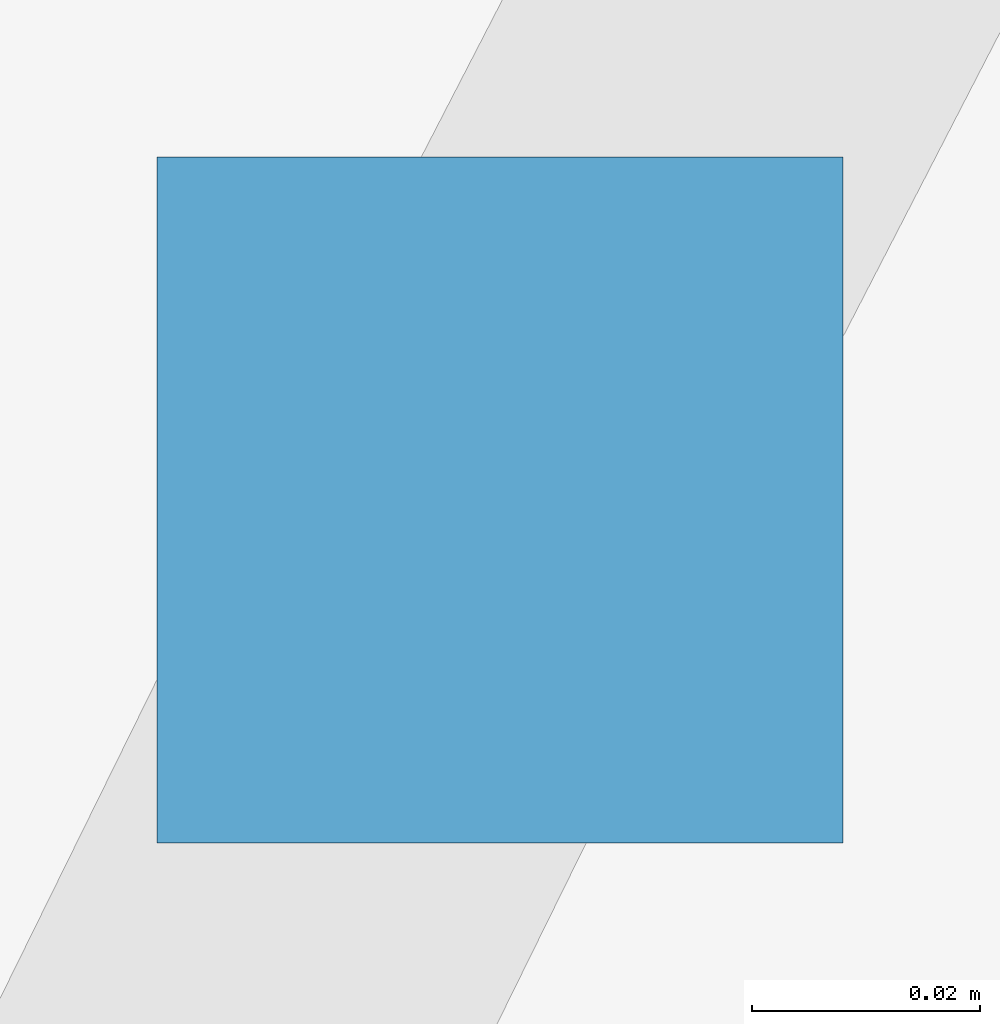
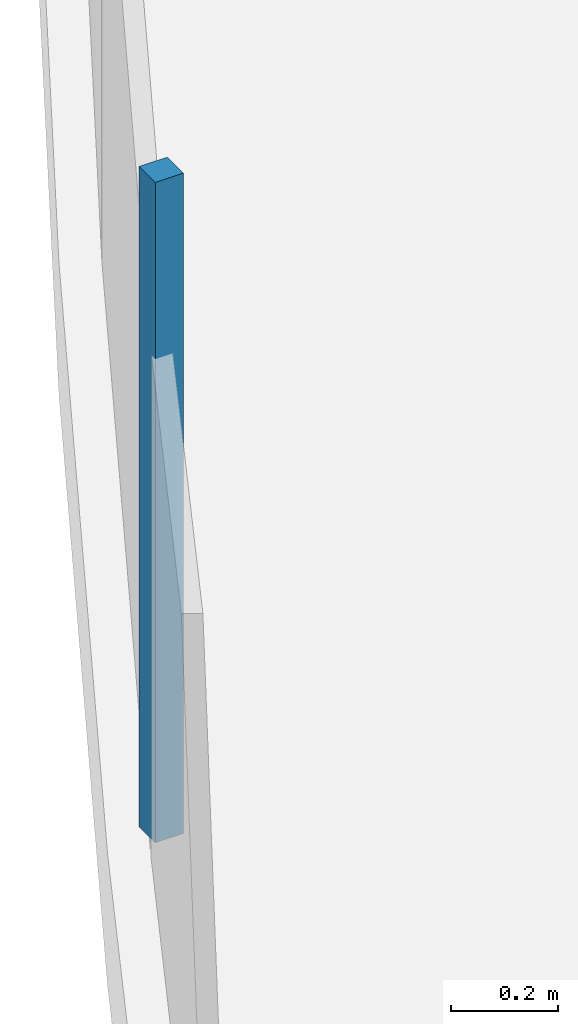
# One storey, part 4 of 9: 1 discrete accessory.
"""IFC4 building model written with IfcOpenShell, lengths in metres."""

from ifc_helpers import new_model, si_unit, direction, frame, origin, origin_2d, place, context, subcontext, project, spatial, rectangle, extrude, material, type_object, element, save


model = new_model("IFC4")

# Units and contexts
model_context = context("Model", 3, precision=1e-05, world=origin(), true_north=direction((0.0, 1.0)))
body_context = subcontext(model_context, "Body", "Model", "MODEL_VIEW")
ifc_project = project(units=[si_unit("LENGTHUNIT", "METRE"), si_unit("AREAUNIT", "SQUARE_METRE"), si_unit("VOLUMEUNIT", "CUBIC_METRE"), si_unit("PLANEANGLEUNIT", "RADIAN"), si_unit("MASSUNIT", "GRAM", prefix="KILO")], contexts=[model_context])

# Site, building, storey
site_placement = place(None, origin())
site = spatial("IfcSite", under=ifc_project, at=site_placement, CompositionType="ELEMENT")
building_placement = place(site_placement, origin())
building = spatial("IfcBuilding", under=site, at=building_placement, Name="Sierra Prisma Convention Tower", CompositionType="ELEMENT")
storey_placement = place(building_placement, frame((0.0, 0.0, 361.0)))
storey = spatial("IfcBuildingStorey", under=building, at=storey_placement, Name="Roof", CompositionType="ELEMENT", Elevation=361.0)

# Discrete accessory
ifc_material = material(Name="Copper")
discrete_accessory_type = type_object("IfcDiscreteAccessoryType", Name="Air terminal", PredefinedType="USERDEFINED", material=ifc_material)
discrete_accessory_placement = place(storey_placement, frame((-20.226806640625, 5.04052734375, 0.35009765625), z_axis=(0.0, 0.0, 1.0), x_axis=(1.0, 0.0, 0.0)))
element("IfcDiscreteAccessory", 1, at=discrete_accessory_placement, inside=storey, type_object=discrete_accessory_type, Name="Air terminal 14", ObjectType="AIR TERMINAL", PredefinedType="USERDEFINED", context=body_context, shape_type="SweptSolid", body=[
    extrude(rectangle(XDim=0.06005859375, YDim=0.06005859375, at=origin_2d()), origin(), (0.0, 0.0, 1.0), 1.5),
])

save(model, "model.ifc")
